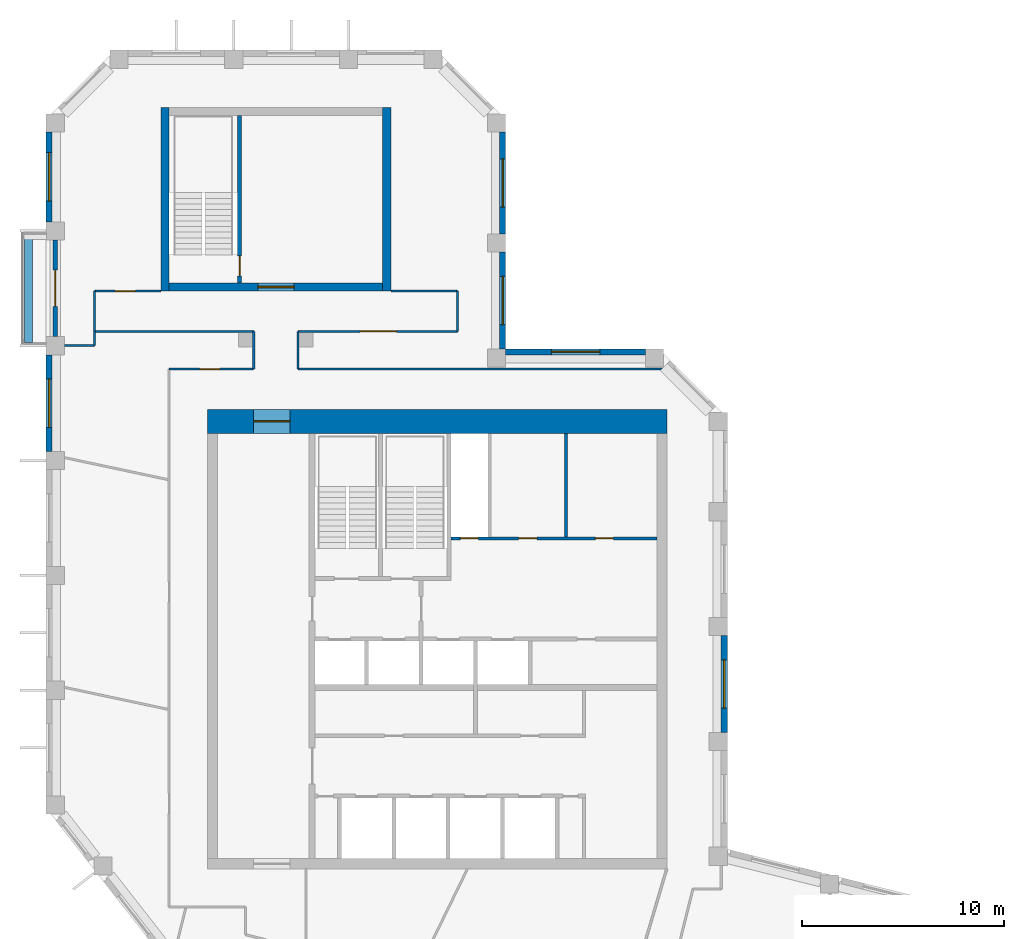
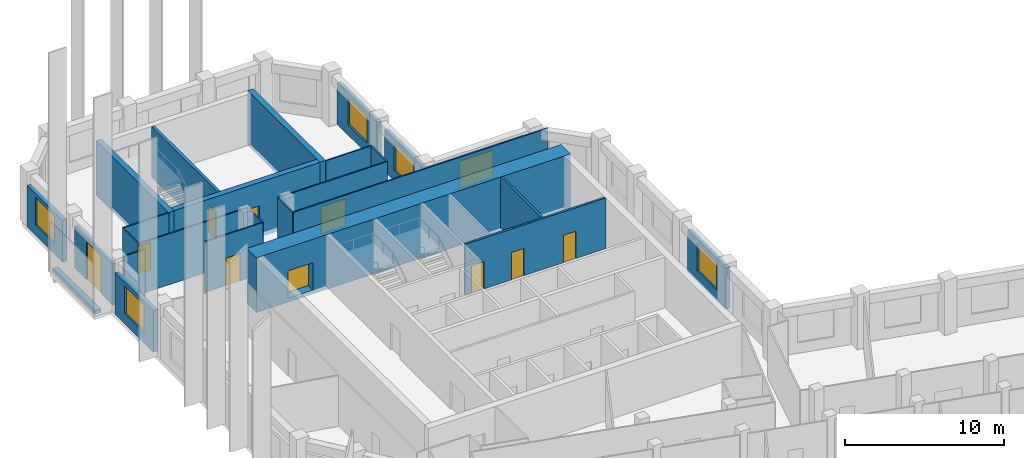
# One storey, part 6 of 8: 27 walls, 10 doors, 6 windows, 16 openings.
"""IFC4 building model written with IfcOpenShell, lengths in metres."""

from ifc_helpers import new_model, si_unit, direction, frame, frame_2d, origin, place, context, subcontext, project, spatial, rectangle, extrude, material, layer, layer_set, type_object, element, fill, save


model = new_model("IFC4")

# Units and contexts
model_context = context("Model", 3, precision=1e-05, world=origin(), true_north=direction((0.0, 1.0)))
body_context = subcontext(model_context, "Body", "Model", "MODEL_VIEW")
ifc_project = project(units=[si_unit("LENGTHUNIT", "METRE"), si_unit("AREAUNIT", "SQUARE_METRE"), si_unit("VOLUMEUNIT", "CUBIC_METRE"), si_unit("PLANEANGLEUNIT", "RADIAN"), si_unit("MASSUNIT", "GRAM", prefix="KILO")], contexts=[model_context])

# Site, building, storey
site_placement = place(None, origin())
site = spatial("IfcSite", under=ifc_project, at=site_placement, CompositionType="ELEMENT")
building_placement = place(site_placement, origin())
building = spatial("IfcBuilding", under=site, at=building_placement, Name="Meshkara Civic Tower", CompositionType="ELEMENT")
storey_placement = place(building_placement, frame((0.0, 0.0, 370.800048828125)))
storey = spatial("IfcBuildingStorey", under=building, at=storey_placement, Name="L85", CompositionType="ELEMENT", Elevation=370.800048828125)

# Wall, openings, doors
ifc_material_1 = material(Name="Blockwork", Category="masonry")
ifc_layer_1 = layer(ifc_material_1, 0.14990234375)
ifc_layer_set_1 = layer_set([ifc_layer_1], Name="Core partition 150")
wall_type_1 = type_object("IfcWallType", Name="Core partition 150", PredefinedType="PARTITIONING", material=ifc_layer_set_1)
wall_1_placement = place(storey_placement, frame((20.10009765625, 30.5, 0.0), z_axis=(0.0, 0.0, 1.0), x_axis=(1.0, 0.0, 0.0)))
wall_1 = element("IfcWall", 1, at=wall_1_placement, inside=storey, type_object=wall_type_1, Name="L85-C010", PredefinedType="PARTITIONING", context=body_context, shape_type="SweptSolid", body=[
    extrude(rectangle(XDim=10.199951171875, YDim=0.14990234375, at=frame_2d((5.10009765625, 0.0))), origin(), (0.0, 0.0, 1.0), 3.89990234375),
])
opening_1_placement = place(wall_1_placement, frame((0.449951171875, 0.0, 0.0)))
opening_1 = element("IfcOpeningElement", 2, at=opening_1_placement, cuts=wall_1, Name="Opening L85-K014", PredefinedType="OPENING", context=body_context, shape_type="SweptSolid", body=[
    extrude(rectangle(XDim=0.89990234375, YDim=2.10009765625, at=frame_2d((0.449951171875, 1.050048828125))), frame((0.0, 0.0849609375, 0.0), z_axis=(0.0, -1.0, 0.0), x_axis=(1.0, 0.0, 0.0)), (0.0, 0.0, 1.0), 0.169921875),
])
opening_2_placement = place(wall_1_placement, frame((3.35009765625, 0.0, 0.0)))
opening_2 = element("IfcOpeningElement", 3, at=opening_2_placement, cuts=wall_1, Name="Opening L85-K015", PredefinedType="OPENING", context=body_context, shape_type="SweptSolid", body=[
    extrude(rectangle(XDim=0.89990234375, YDim=2.10009765625, at=frame_2d((0.449951171875, 1.050048828125))), frame((0.0, 0.0849609375, 0.0), z_axis=(0.0, -1.0, 0.0), x_axis=(1.0, 0.0, 0.0)), (0.0, 0.0, 1.0), 0.169921875),
])
opening_3_placement = place(wall_1_placement, frame((7.14990234375, 0.0, 0.0)))
opening_3 = element("IfcOpeningElement", 4, at=opening_3_placement, cuts=wall_1, Name="Opening L85-K016", PredefinedType="OPENING", context=body_context, shape_type="SweptSolid", body=[
    extrude(rectangle(XDim=0.89990234375, YDim=2.10009765625, at=frame_2d((0.449951171875, 1.050048828125))), frame((0.0, 0.0849609375, 0.0), z_axis=(0.0, -1.0, 0.0), x_axis=(1.0, 0.0, 0.0)), (0.0, 0.0, 1.0), 0.169921875),
])
ifc_material_2 = material(Name="Timber door leaf in steel frame", Category="steel")
door_type_1 = type_object("IfcDoorType", Name="Core room door 900", OperationType="SINGLE_SWING_LEFT", PredefinedType="DOOR", material=ifc_material_2)
door_1_placement = place(opening_2_placement, origin())
door_1 = element("IfcDoor", 5, at=door_1_placement, inside=storey, type_object=door_type_1, Name="L85-K015", OperationType="SINGLE_SWING_RIGHT", OverallHeight=2.10009765625, OverallWidth=0.89990234375, PredefinedType="DOOR", context=body_context, shape_type="SweptSolid", body=[
    extrude(rectangle(XDim=0.89990234375, YDim=2.10009765625, at=frame_2d((0.449951171875, 1.050048828125))), frame((0.0, 0.02490234375, 0.0), z_axis=(0.0, -1.0, 0.0), x_axis=(1.0, 0.0, 0.0)), (0.0, 0.0, 1.0), 0.050048828125),
])
fill(opening_2, door_1)
ifc_material_3 = material(Name="Fire-rated door leaf in steel frame", Category="steel")
door_type_2 = type_object("IfcDoorType", Name="Riser door 900", OperationType="SINGLE_SWING_LEFT", PredefinedType="DOOR", material=ifc_material_3)
door_2_placement = place(opening_1_placement, origin())
door_2 = element("IfcDoor", 6, at=door_2_placement, inside=storey, type_object=door_type_2, Name="L85-K014", OperationType="SINGLE_SWING_RIGHT", OverallHeight=2.10009765625, OverallWidth=0.89990234375, PredefinedType="DOOR", context=body_context, shape_type="SweptSolid", body=[
    extrude(rectangle(XDim=0.89990234375, YDim=2.10009765625, at=frame_2d((0.449951171875, 1.050048828125))), frame((0.0, 0.02490234375, 0.0), z_axis=(0.0, -1.0, 0.0), x_axis=(1.0, 0.0, 0.0)), (0.0, 0.0, 1.0), 0.050048828125),
])
fill(opening_1, door_2)
ifc_material_4 = material(Name="Timber door leaf in steel frame", Category="steel")
door_type_3 = type_object("IfcDoorType", Name="WC door 900", OperationType="SINGLE_SWING_LEFT", PredefinedType="DOOR", material=ifc_material_4)
door_3_placement = place(opening_3_placement, origin())
door_3 = element("IfcDoor", 7, at=door_3_placement, inside=storey, type_object=door_type_3, Name="L85-K016", OperationType="SINGLE_SWING_LEFT", OverallHeight=2.10009765625, OverallWidth=0.89990234375, PredefinedType="DOOR", context=body_context, shape_type="SweptSolid", body=[
    extrude(rectangle(XDim=0.89990234375, YDim=2.10009765625, at=frame_2d((0.449951171875, 1.050048828125))), frame((0.0, 0.02490234375, 0.0), z_axis=(0.0, -1.0, 0.0), x_axis=(1.0, 0.0, 0.0)), (0.0, 0.0, 1.0), 0.050048828125),
])
fill(opening_3, door_3)

# Wall
wall_2_placement = place(storey_placement, frame((25.800048828125, 30.574951171875, 0.0), z_axis=(0.0, 0.0, 1.0), x_axis=(0.0, 1.0, 0.0)))
element("IfcWall", 8, at=wall_2_placement, inside=storey, type_object=wall_type_1, Name="L85-C024", PredefinedType="PARTITIONING", context=body_context, shape_type="SweptSolid", body=[
    extrude(rectangle(XDim=5.125, YDim=0.14990234375, at=frame_2d((2.5625, 0.0))), origin(), (0.0, 0.0, 1.0), 3.89990234375),
])

# Wall, opening, door
ifc_material_5 = material(Name="Concrete C50", Category="concrete")
ifc_layer_2 = layer(ifc_material_5, 1.199951171875)
ifc_layer_set_2 = layer_set([ifc_layer_2], Name="Core ring wall 1200 C50")
wall_type_2 = type_object("IfcWallType", Name="Core ring wall 1200 C50", PredefinedType="SHEAR", material=ifc_layer_set_2)
wall_3_placement = place(storey_placement, frame((8.0, 36.300048828125, -0.300048828125), z_axis=(0.0, 0.0, 1.0), x_axis=(1.0, 0.0, 0.0)))
wall_3 = element("IfcWall", 9, at=wall_3_placement, inside=storey, type_object=wall_type_2, Name="L85-C002", PredefinedType="SHEAR", context=body_context, shape_type="SweptSolid", body=[
    extrude(rectangle(XDim=22.800048828125, YDim=1.199951171875, at=frame_2d((11.39990234375, 0.0))), origin(), (0.0, 0.0, 1.0), 4.199951171875),
])
opening_4_placement = place(wall_3_placement, frame((2.300048828125, 0.0, 0.300048828125)))
opening_4 = element("IfcOpeningElement", 10, at=opening_4_placement, cuts=wall_3, Name="Opening L85-K022", PredefinedType="OPENING", context=body_context, shape_type="SweptSolid", body=[
    extrude(rectangle(XDim=1.800048828125, YDim=2.10009765625, at=frame_2d((0.89990234375, 1.050048828125))), frame((0.0, 0.60986328125, 0.0), z_axis=(0.0, -1.0, 0.0), x_axis=(1.0, 0.0, 0.0)), (0.0, 0.0, 1.0), 1.219970703125),
])
ifc_material_6 = material(Name="Fire-rated door leaf in steel frame", Category="steel")
door_type_4 = type_object("IfcDoorType", Name="Core double door 1800 EI 60", OperationType="DOUBLE_DOOR_SINGLE_SWING", PredefinedType="DOOR", material=ifc_material_6)
door_4_placement = place(opening_4_placement, origin())
door_4 = element("IfcDoor", 11, at=door_4_placement, inside=storey, type_object=door_type_4, Name="L85-K022", OperationType="DOUBLE_DOOR_SINGLE_SWING", OverallHeight=2.10009765625, OverallWidth=1.800048828125, PredefinedType="DOOR", context=body_context, shape_type="SweptSolid", body=[
    extrude(rectangle(XDim=1.800048828125, YDim=2.10009765625, at=frame_2d((0.89990234375, 1.050048828125))), frame((0.0, 0.02490234375, 0.0), z_axis=(0.0, -1.0, 0.0), x_axis=(1.0, 0.0, 0.0)), (0.0, 0.0, 1.0), 0.050048828125),
])
fill(opening_4, door_4)

# Walls
ifc_material_7 = material(Name="Corridor wall 100")
ifc_layer_3 = layer(ifc_material_7, 0.10009765625)
ifc_layer_set_3 = layer_set([ifc_layer_3], Name="Corridor wall 100")
wall_type_3 = type_object("IfcWallType", Name="Corridor wall 100", PredefinedType="PARTITIONING", material=ifc_layer_set_3)
wall_4_placement = place(storey_placement, frame((2.39990234375, 40.77001953125, 0.0), z_axis=(0.0, 0.0, 1.0), x_axis=(1.0, 0.0, 0.0)))
element("IfcWall", 12, at=wall_4_placement, inside=storey, type_object=wall_type_3, Name="L85-W001", PredefinedType="PARTITIONING", context=body_context, shape_type="SweptSolid", body=[
    extrude(rectangle(XDim=7.900146484375, YDim=0.10009765625, at=frame_2d((3.9501953125, 0.0))), origin(), (0.0, 0.0, 1.0), 3.89990234375),
])
wall_5_placement = place(storey_placement, frame((2.39990234375, 42.77001953125, 0.0), z_axis=(0.0, 0.0, 1.0), x_axis=(0.0, -1.0, 0.0)))
element("IfcWall", 13, at=wall_5_placement, inside=storey, type_object=wall_type_3, Name="L85-W002", PredefinedType="PARTITIONING", context=body_context, shape_type="SweptSolid", body=[
    extrude(rectangle(XDim=2.0, YDim=0.10009765625, at=frame_2d((1.0, 0.0))), origin(), (0.0, 0.0, 1.0), 3.89990234375),
])

# Wall, opening, door
wall_6_placement = place(storey_placement, frame((5.699951171875, 42.77001953125, 0.0), z_axis=(0.0, 0.0, 1.0), x_axis=(-1.0, 0.0, 0.0)))
wall_6 = element("IfcWall", 14, at=wall_6_placement, inside=storey, type_object=wall_type_3, Name="L85-W003", PredefinedType="PARTITIONING", context=body_context, shape_type="SweptSolid", body=[
    extrude(rectangle(XDim=3.300048828125, YDim=0.10009765625, at=frame_2d((1.64990234375, 0.0))), origin(), (0.0, 0.0, 1.0), 3.89990234375),
])
opening_5_placement = place(wall_6_placement, frame((1.280029296875, 0.0, 0.0)))
opening_5 = element("IfcOpeningElement", 15, at=opening_5_placement, cuts=wall_6, Name="Opening L85-D016", PredefinedType="OPENING", context=body_context, shape_type="SweptSolid", body=[
    extrude(rectangle(XDim=1.0, YDim=2.10009765625, at=frame_2d((0.5, 1.050048828125))), frame((0.0, 0.06005859375, 0.0), z_axis=(0.0, -1.0, 0.0), x_axis=(1.0, 0.0, 0.0)), (0.0, 0.0, 1.0), 0.1201171875),
])
ifc_material_8 = material(Name="Door 1000 x 2100")
door_type_5 = type_object("IfcDoorType", Name="Door 1000 x 2100", OperationType="SINGLE_SWING_LEFT", PredefinedType="DOOR", material=ifc_material_8)
door_5_placement = place(opening_5_placement, origin())
door_5 = element("IfcDoor", 16, at=door_5_placement, inside=storey, type_object=door_type_5, Name="L85-D016", OperationType="SINGLE_SWING_LEFT", OverallHeight=2.10009765625, OverallWidth=1.0, PredefinedType="DOOR", context=body_context, shape_type="SweptSolid", body=[
    extrude(rectangle(XDim=1.0, YDim=2.10009765625, at=frame_2d((0.5, 1.050048828125))), frame((0.0, 0.02490234375, 0.0), z_axis=(0.0, -1.0, 0.0), x_axis=(1.0, 0.0, 0.0)), (0.0, 0.0, 1.0), 0.050048828125),
])
fill(opening_5, door_5)

wall_7_placement = place(storey_placement, frame((10.300048828125, 38.89990234375, 0.0), z_axis=(0.0, 0.0, 1.0), x_axis=(-1.0, 0.0, 0.0)))
wall_7 = element("IfcWall", 17, at=wall_7_placement, inside=storey, type_object=wall_type_3, Name="L85-W011", PredefinedType="PARTITIONING", context=body_context, shape_type="SweptSolid", body=[
    extrude(rectangle(XDim=4.199951171875, YDim=0.10009765625, at=frame_2d((2.10009765625, 0.0))), origin(), (0.0, 0.0, 1.0), 3.89990234375),
])
opening_6_placement = place(wall_7_placement, frame((1.679931640625, 0.0, 0.0)))
opening_6 = element("IfcOpeningElement", 18, at=opening_6_placement, cuts=wall_7, Name="Opening L85-D014", PredefinedType="OPENING", context=body_context, shape_type="SweptSolid", body=[
    extrude(rectangle(XDim=1.0, YDim=2.10009765625, at=frame_2d((0.5, 1.050048828125))), frame((0.0, 0.06005859375, 0.0), z_axis=(0.0, -1.0, 0.0), x_axis=(1.0, 0.0, 0.0)), (0.0, 0.0, 1.0), 0.1201171875),
])
door_6_placement = place(opening_6_placement, origin())
door_6 = element("IfcDoor", 19, at=door_6_placement, inside=storey, type_object=door_type_5, Name="L85-D014", OperationType="SINGLE_SWING_LEFT", OverallHeight=2.10009765625, OverallWidth=1.0, PredefinedType="DOOR", context=body_context, shape_type="SweptSolid", body=[
    extrude(rectangle(XDim=1.0, YDim=2.10009765625, at=frame_2d((0.5, 1.050048828125))), frame((0.0, 0.02490234375, 0.0), z_axis=(0.0, -1.0, 0.0), x_axis=(1.0, 0.0, 0.0)), (0.0, 0.0, 1.0), 0.050048828125),
])
fill(opening_6, door_6)

# Walls
for number, where, z_axis, x_axis, name in (
    (20, (10.300048828125, 40.77001953125, 0.0), (0.0, 0.0, 1.0), (0.0, -1.0, 0.0), "L85-W012"),
    (21, (12.5, 38.89990234375, 0.0), (0.0, 0.0, 1.0), (0.0, 1.0, 0.0), "L85-W013"),
):
    element("IfcWall", number, at=place(storey_placement, frame(where, z_axis=z_axis, x_axis=x_axis)), inside=storey, type_object=wall_type_3, Name=name, PredefinedType="PARTITIONING", context=body_context, shape_type="SweptSolid", body=[
        extrude(rectangle(XDim=1.8701171875, YDim=0.10009765625, at=frame_2d((0.93505859375, 0.0))), origin(), (0.0, 0.0, 1.0), 3.89990234375),
    ])

# Wall, opening, door
wall_8_placement = place(storey_placement, frame((12.5, 40.77001953125, 0.0), z_axis=(0.0, 0.0, 1.0), x_axis=(1.0, 0.0, 0.0)))
wall_8 = element("IfcWall", 22, at=wall_8_placement, inside=storey, type_object=wall_type_3, Name="L85-W014", PredefinedType="PARTITIONING", context=body_context, shape_type="SweptSolid", body=[
    extrude(rectangle(XDim=7.89990234375, YDim=0.10009765625, at=frame_2d((3.949951171875, 0.0))), origin(), (0.0, 0.0, 1.0), 3.89990234375),
])
opening_7_placement = place(wall_8_placement, frame((3.080078125, 0.0, 0.0)))
opening_7 = element("IfcOpeningElement", 23, at=opening_7_placement, cuts=wall_8, Name="Opening L85-D015", PredefinedType="OPENING", context=body_context, shape_type="SweptSolid", body=[
    extrude(rectangle(XDim=1.800048828125, YDim=2.10009765625, at=frame_2d((0.89990234375, 1.050048828125))), frame((0.0, 0.06005859375, 0.0), z_axis=(0.0, -1.0, 0.0), x_axis=(1.0, 0.0, 0.0)), (0.0, 0.0, 1.0), 0.1201171875),
])
ifc_material_9 = material(Name="Door pair 1800 x 2100")
door_type_6 = type_object("IfcDoorType", Name="Door pair 1800 x 2100", OperationType="SINGLE_SWING_LEFT", PredefinedType="DOOR", material=ifc_material_9)
door_7_placement = place(opening_7_placement, origin())
door_7 = element("IfcDoor", 24, at=door_7_placement, inside=storey, type_object=door_type_6, Name="L85-D015", OperationType="DOUBLE_DOOR_SINGLE_SWING", OverallHeight=2.10009765625, OverallWidth=1.800048828125, PredefinedType="DOOR", context=body_context, shape_type="SweptSolid", body=[
    extrude(rectangle(XDim=1.800048828125, YDim=2.10009765625, at=frame_2d((0.89990234375, 1.050048828125))), frame((0.0, 0.02490234375, 0.0), z_axis=(0.0, -1.0, 0.0), x_axis=(1.0, 0.0, 0.0)), (0.0, 0.0, 1.0), 0.050048828125),
])
fill(opening_7, door_7)

# Walls
wall_9_placement = place(storey_placement, frame((20.39990234375, 40.77001953125, 0.0), z_axis=(0.0, 0.0, 1.0), x_axis=(0.0, 1.0, 0.0)))
element("IfcWall", 25, at=wall_9_placement, inside=storey, type_object=wall_type_3, Name="L85-W017", PredefinedType="PARTITIONING", context=body_context, shape_type="SweptSolid", body=[
    extrude(rectangle(XDim=2.0, YDim=0.10009765625, at=frame_2d((1.0, 0.0))), origin(), (0.0, 0.0, 1.0), 3.89990234375),
])
wall_10_placement = place(storey_placement, frame((20.39990234375, 42.77001953125, 0.0), z_axis=(0.0, 0.0, 1.0), x_axis=(-1.0, 0.0, 0.0)))
element("IfcWall", 26, at=wall_10_placement, inside=storey, type_object=wall_type_3, Name="L85-W018", PredefinedType="PARTITIONING", context=body_context, shape_type="SweptSolid", body=[
    extrude(rectangle(XDim=3.2998046875, YDim=0.10009765625, at=frame_2d((1.64990234375, 0.0))), origin(), (0.0, 0.0, 1.0), 3.89990234375),
])
wall_11_placement = place(storey_placement, frame((30.9560546875, 38.89990234375, 0.0), z_axis=(0.0, 0.0, 1.0), x_axis=(-1.0, 0.0, 0.0)))
element("IfcWall", 27, at=wall_11_placement, inside=storey, type_object=wall_type_3, Name="L85-W023", PredefinedType="PARTITIONING", context=body_context, shape_type="SweptSolid", body=[
    extrude(rectangle(XDim=18.4560546875, YDim=0.10009765625, at=frame_2d((9.22802734375, 0.0))), origin(), (0.0, 0.0, 1.0), 3.89990234375),
])

# Wall, opening, window
ifc_material_10 = material(Name="Insulated infill panel with bronze anodised aluminium cladding", Category="aluminium")
ifc_layer_4 = layer(ifc_material_10, 0.300048828125)
ifc_layer_set_4 = layer_set([ifc_layer_4], Name="EXTERNAL INFILL WALL 300")
wall_type_4 = type_object("IfcWallType", Name="EXTERNAL INFILL WALL 300", PredefinedType="SOLIDWALL", material=ifc_layer_set_4)
wall_12_placement = place(storey_placement, frame((33.64990234375, 20.868896484375, 0.0), z_axis=(0.0, 0.0, 1.0), x_axis=(0.0, 1.0, 0.0)))
wall_12 = element("IfcWall", 28, at=wall_12_placement, inside=storey, type_object=wall_type_4, Name="External wall", PredefinedType="SOLIDWALL", context=body_context, shape_type="SweptSolid", body=[
    extrude(rectangle(XDim=4.800048828125, YDim=0.300048828125, at=frame_2d((2.39990234375, 0.0))), origin(), (0.0, 0.0, 1.0), 3.199951171875),
])
opening_8_placement = place(wall_12_placement, frame((1.199951171875, 0.0, 0.800048828125)))
opening_8 = element("IfcOpeningElement", 29, at=opening_8_placement, cuts=wall_12, Name="Opening W7", PredefinedType="OPENING", context=body_context, shape_type="SweptSolid", body=[
    extrude(rectangle(XDim=2.39990234375, YDim=2.10009765625, at=frame_2d((1.199951171875, 1.050048828125))), frame((0.0, 0.159912109375, 0.0), z_axis=(0.0, -1.0, 0.0), x_axis=(1.0, 0.0, 0.0)), (0.0, 0.0, 1.0), 0.320068359375),
])
ifc_material_11 = material(Name="Tinted double glazing", Category="glass")
window_type = type_object("IfcWindowType", Name="WINDOW 2400x2100", PartitioningType="DOUBLE_PANEL_VERTICAL", PredefinedType="WINDOW", material=ifc_material_11)
window_1_placement = place(opening_8_placement, origin())
window_1 = element("IfcWindow", 30, at=window_1_placement, inside=storey, type_object=window_type, Name="Window", OverallHeight=2.10009765625, OverallWidth=2.39990234375, PartitioningType="DOUBLE_PANEL_VERTICAL", PredefinedType="WINDOW", context=body_context, shape_type="SweptSolid", body=[
    extrude(rectangle(XDim=2.39990234375, YDim=2.10009765625, at=frame_2d((1.199951171875, 1.050048828125))), frame((0.0, 0.030029296875, 0.0), z_axis=(0.0, -1.0, 0.0), x_axis=(1.0, 0.0, 0.0)), (0.0, 0.0, 1.0), 0.06005859375),
])
fill(opening_8, window_1)

wall_13_placement = place(storey_placement, frame((29.743896484375, 39.75, 0.0), z_axis=(0.0, 0.0, 1.0), x_axis=(-1.0, 0.0, 0.0)))
wall_13 = element("IfcWall", 31, at=wall_13_placement, inside=storey, type_object=wall_type_4, Name="External wall", PredefinedType="SOLIDWALL", context=body_context, shape_type="SweptSolid", body=[
    extrude(rectangle(XDim=6.94384765625, YDim=0.300048828125, at=frame_2d((3.471923828125, 0.0))), origin(), (0.0, 0.0, 1.0), 3.199951171875),
])
opening_9_placement = place(wall_13_placement, frame((2.27197265625, 0.0, 0.800048828125)))
opening_9 = element("IfcOpeningElement", 32, at=opening_9_placement, cuts=wall_13, Name="Opening W7", PredefinedType="OPENING", context=body_context, shape_type="SweptSolid", body=[
    extrude(rectangle(XDim=2.39990234375, YDim=2.10009765625, at=frame_2d((1.199951171875, 1.050048828125))), frame((0.0, 0.159912109375, 0.0), z_axis=(0.0, -1.0, 0.0), x_axis=(1.0, 0.0, 0.0)), (0.0, 0.0, 1.0), 0.320068359375),
])
window_2_placement = place(opening_9_placement, origin())
window_2 = element("IfcWindow", 33, at=window_2_placement, inside=storey, type_object=window_type, Name="Window", OverallHeight=2.10009765625, OverallWidth=2.39990234375, PartitioningType="DOUBLE_PANEL_VERTICAL", PredefinedType="WINDOW", context=body_context, shape_type="SweptSolid", body=[
    extrude(rectangle(XDim=2.39990234375, YDim=2.10009765625, at=frame_2d((1.199951171875, 1.050048828125))), frame((0.0, 0.030029296875, 0.0), z_axis=(0.0, -1.0, 0.0), x_axis=(1.0, 0.0, 0.0)), (0.0, 0.0, 1.0), 0.06005859375),
])
fill(opening_9, window_2)

wall_14_placement = place(storey_placement, frame((22.64990234375, 39.89990234375, 0.0), z_axis=(0.0, 0.0, 1.0), x_axis=(0.0, 1.0, 0.0)))
wall_14 = element("IfcWall", 34, at=wall_14_placement, inside=storey, type_object=wall_type_4, Name="External wall", PredefinedType="SOLIDWALL", context=body_context, shape_type="SweptSolid", body=[
    extrude(rectangle(XDim=4.800048828125, YDim=0.300048828125, at=frame_2d((2.39990234375, 0.0))), origin(), (0.0, 0.0, 1.0), 3.199951171875),
])
opening_10_placement = place(wall_14_placement, frame((1.199951171875, 0.0, 0.800048828125)))
opening_10 = element("IfcOpeningElement", 35, at=opening_10_placement, cuts=wall_14, Name="Opening W7", PredefinedType="OPENING", context=body_context, shape_type="SweptSolid", body=[
    extrude(rectangle(XDim=2.39990234375, YDim=2.10009765625, at=frame_2d((1.199951171875, 1.050048828125))), frame((0.0, 0.159912109375, 0.0), z_axis=(0.0, -1.0, 0.0), x_axis=(1.0, 0.0, 0.0)), (0.0, 0.0, 1.0), 0.320068359375),
])
window_3_placement = place(opening_10_placement, origin())
window_3 = element("IfcWindow", 36, at=window_3_placement, inside=storey, type_object=window_type, Name="Window", OverallHeight=2.10009765625, OverallWidth=2.39990234375, PartitioningType="DOUBLE_PANEL_VERTICAL", PredefinedType="WINDOW", context=body_context, shape_type="SweptSolid", body=[
    extrude(rectangle(XDim=2.39990234375, YDim=2.10009765625, at=frame_2d((1.199951171875, 1.050048828125))), frame((0.0, 0.030029296875, 0.0), z_axis=(0.0, -1.0, 0.0), x_axis=(1.0, 0.0, 0.0)), (0.0, 0.0, 1.0), 0.06005859375),
])
fill(opening_10, window_3)

wall_15_placement = place(storey_placement, frame((22.64990234375, 45.60009765625, 0.0), z_axis=(0.0, 0.0, 1.0), x_axis=(0.0, 1.0, 0.0)))
wall_15 = element("IfcWall", 37, at=wall_15_placement, inside=storey, type_object=wall_type_4, Name="External wall", PredefinedType="SOLIDWALL", context=body_context, shape_type="SweptSolid", body=[
    extrude(rectangle(XDim=5.06396484375, YDim=0.300048828125, at=frame_2d((2.531982421875, 0.0))), origin(), (0.0, 0.0, 1.0), 3.199951171875),
])
opening_11_placement = place(wall_15_placement, frame((1.33203125, 0.0, 0.800048828125)))
opening_11 = element("IfcOpeningElement", 38, at=opening_11_placement, cuts=wall_15, Name="Opening W7", PredefinedType="OPENING", context=body_context, shape_type="SweptSolid", body=[
    extrude(rectangle(XDim=2.39990234375, YDim=2.10009765625, at=frame_2d((1.199951171875, 1.050048828125))), frame((0.0, 0.159912109375, 0.0), z_axis=(0.0, -1.0, 0.0), x_axis=(1.0, 0.0, 0.0)), (0.0, 0.0, 1.0), 0.320068359375),
])
window_4_placement = place(opening_11_placement, origin())
window_4 = element("IfcWindow", 39, at=window_4_placement, inside=storey, type_object=window_type, Name="Window", OverallHeight=2.10009765625, OverallWidth=2.39990234375, PartitioningType="DOUBLE_PANEL_VERTICAL", PredefinedType="WINDOW", context=body_context, shape_type="SweptSolid", body=[
    extrude(rectangle(XDim=2.39990234375, YDim=2.10009765625, at=frame_2d((1.199951171875, 1.050048828125))), frame((0.0, 0.030029296875, 0.0), z_axis=(0.0, -1.0, 0.0), x_axis=(1.0, 0.0, 0.0)), (0.0, 0.0, 1.0), 0.06005859375),
])
fill(opening_11, window_4)

wall_16_placement = place(storey_placement, frame((0.14990234375, 50.6640625, 0.0), z_axis=(0.0, 0.0, 1.0), x_axis=(0.0, -1.0, 0.0)))
wall_16 = element("IfcWall", 40, at=wall_16_placement, inside=storey, type_object=wall_type_4, Name="External wall", PredefinedType="SOLIDWALL", context=body_context, shape_type="SweptSolid", body=[
    extrude(rectangle(XDim=4.458984375, YDim=0.300048828125, at=frame_2d((2.2294921875, 0.0))), origin(), (0.0, 0.0, 1.0), 3.199951171875),
])
opening_12_placement = place(wall_16_placement, frame((1.029052734375, 0.0, 0.800048828125)))
opening_12 = element("IfcOpeningElement", 41, at=opening_12_placement, cuts=wall_16, Name="Opening W7", PredefinedType="OPENING", context=body_context, shape_type="SweptSolid", body=[
    extrude(rectangle(XDim=2.39990234375, YDim=2.10009765625, at=frame_2d((1.199951171875, 1.050048828125))), frame((0.0, 0.159912109375, 0.0), z_axis=(0.0, -1.0, 0.0), x_axis=(1.0, 0.0, 0.0)), (0.0, 0.0, 1.0), 0.320068359375),
])
window_5_placement = place(opening_12_placement, origin())
window_5 = element("IfcWindow", 42, at=window_5_placement, inside=storey, type_object=window_type, Name="Window", OverallHeight=2.10009765625, OverallWidth=2.39990234375, PartitioningType="DOUBLE_PANEL_VERTICAL", PredefinedType="WINDOW", context=body_context, shape_type="SweptSolid", body=[
    extrude(rectangle(XDim=2.39990234375, YDim=2.10009765625, at=frame_2d((1.199951171875, 1.050048828125))), frame((0.0, 0.030029296875, 0.0), z_axis=(0.0, -1.0, 0.0), x_axis=(1.0, 0.0, 0.0)), (0.0, 0.0, 1.0), 0.06005859375),
])
fill(opening_12, window_5)

wall_17_placement = place(storey_placement, frame((0.14990234375, 39.60498046875, 0.0), z_axis=(0.0, 0.0, 1.0), x_axis=(0.0, -1.0, 0.0)))
wall_17 = element("IfcWall", 43, at=wall_17_placement, inside=storey, type_object=wall_type_4, Name="External wall", PredefinedType="SOLIDWALL", context=body_context, shape_type="SweptSolid", body=[
    extrude(rectangle(XDim=4.800048828125, YDim=0.300048828125, at=frame_2d((2.39990234375, 0.0))), origin(), (0.0, 0.0, 1.0), 3.199951171875),
])
opening_13_placement = place(wall_17_placement, frame((1.199951171875, 0.0, 0.800048828125)))
opening_13 = element("IfcOpeningElement", 44, at=opening_13_placement, cuts=wall_17, Name="Opening W7", PredefinedType="OPENING", context=body_context, shape_type="SweptSolid", body=[
    extrude(rectangle(XDim=2.39990234375, YDim=2.10009765625, at=frame_2d((1.199951171875, 1.050048828125))), frame((0.0, 0.159912109375, 0.0), z_axis=(0.0, -1.0, 0.0), x_axis=(1.0, 0.0, 0.0)), (0.0, 0.0, 1.0), 0.320068359375),
])
window_6_placement = place(opening_13_placement, origin())
window_6 = element("IfcWindow", 45, at=window_6_placement, inside=storey, type_object=window_type, Name="Window", OverallHeight=2.10009765625, OverallWidth=2.39990234375, PartitioningType="DOUBLE_PANEL_VERTICAL", PredefinedType="WINDOW", context=body_context, shape_type="SweptSolid", body=[
    extrude(rectangle(XDim=2.39990234375, YDim=2.10009765625, at=frame_2d((1.199951171875, 1.050048828125))), frame((0.0, 0.030029296875, 0.0), z_axis=(0.0, -1.0, 0.0), x_axis=(1.0, 0.0, 0.0)), (0.0, 0.0, 1.0), 0.06005859375),
])
fill(opening_13, window_6)

# Walls
ifc_material_12 = material(Name="Concrete C50", Category="concrete")
ifc_layer_5 = layer(ifc_material_12, 0.39990234375)
ifc_layer_set_5 = layer_set([ifc_layer_5], Name="End core ring wall 400 C50")
wall_type_5 = type_object("IfcWallType", Name="End core ring wall 400 C50", PredefinedType="SHEAR", material=ifc_layer_set_5)
for number, where, z_axis, x_axis, name in (
    (46, (5.89990234375, 42.77001953125, -0.300048828125), (0.0, 0.0, 1.0), (0.0, 1.0, 0.0), "L85-C027"),
    (47, (16.89990234375, 42.77001953125, -0.300048828125), (0.0, 0.0, 1.0), (0.0, 1.0, 0.0), "L85-C028"),
):
    element("IfcWall", number, at=place(storey_placement, frame(where, z_axis=z_axis, x_axis=x_axis)), inside=storey, type_object=wall_type_5, Name=name, PredefinedType="SHEAR", context=body_context, shape_type="SweptSolid", body=[
        extrude(rectangle(XDim=9.10009765625, YDim=0.39990234375, at=frame_2d((4.550048828125, 0.0))), origin(), (0.0, 0.0, 1.0), 4.199951171875),
    ])

# Wall, opening, door
wall_18_placement = place(storey_placement, frame((6.10009765625, 42.969970703125, -0.300048828125), z_axis=(0.0, 0.0, 1.0), x_axis=(1.0, 0.0, 0.0)))
wall_18 = element("IfcWall", 48, at=wall_18_placement, inside=storey, type_object=wall_type_5, Name="L85-C029", PredefinedType="SHEAR", context=body_context, shape_type="SweptSolid", body=[
    extrude(rectangle(XDim=10.599853515625, YDim=0.39990234375, at=frame_2d((5.2998046875, 0.0))), origin(), (0.0, 0.0, 1.0), 4.199951171875),
])
opening_14_placement = place(wall_18_placement, frame((4.39990234375, 0.0, 0.300048828125)))
opening_14 = element("IfcOpeningElement", 49, at=opening_14_placement, cuts=wall_18, Name="Opening L85-K102", PredefinedType="OPENING", context=body_context, shape_type="SweptSolid", body=[
    extrude(rectangle(XDim=1.800048828125, YDim=2.10009765625, at=frame_2d((0.89990234375, 1.050048828125))), frame((0.0, 0.2099609375, 0.0), z_axis=(0.0, -1.0, 0.0), x_axis=(1.0, 0.0, 0.0)), (0.0, 0.0, 1.0), 0.419921875),
])
door_8_placement = place(opening_14_placement, origin())
door_8 = element("IfcDoor", 50, at=door_8_placement, inside=storey, type_object=door_type_4, Name="L85-K102", OperationType="DOUBLE_DOOR_SINGLE_SWING", OverallHeight=2.10009765625, OverallWidth=1.800048828125, PredefinedType="DOOR", context=body_context, shape_type="SweptSolid", body=[
    extrude(rectangle(XDim=1.800048828125, YDim=2.10009765625, at=frame_2d((0.89990234375, 1.050048828125))), frame((0.0, 0.02490234375, 0.0), z_axis=(0.0, -1.0, 0.0), x_axis=(1.0, 0.0, 0.0)), (0.0, 0.0, 1.0), 0.050048828125),
])
fill(opening_14, door_8)

ifc_material_13 = material(Name="Insulated infill panel with bronze anodised aluminium cladding", Category="aluminium")
ifc_layer_6 = layer(ifc_material_13, 0.199951171875)
ifc_layer_set_6 = layer_set([ifc_layer_6], Name="LOGGIA BACK WALL 200")
wall_type_6 = type_object("IfcWallType", Name="LOGGIA BACK WALL 200", PredefinedType="SOLIDWALL", material=ifc_layer_set_6)
wall_19_placement = place(storey_placement, frame((0.449951171875, 45.304931640625, 0.0), z_axis=(0.0, 0.0, 1.0), x_axis=(0.0, -1.0, 0.0)))
wall_19 = element("IfcWall", 51, at=wall_19_placement, inside=storey, type_object=wall_type_6, Name="Loggia wall", PredefinedType="SOLIDWALL", context=body_context, shape_type="SweptSolid", body=[
    extrude(rectangle(XDim=4.800048828125, YDim=0.199951171875, at=frame_2d((2.39990234375, 0.0))), origin(), (0.0, 0.0, 1.0), 3.199951171875),
])
opening_15_placement = place(wall_19_placement, frame((1.5, 0.0, 0.0)))
opening_15 = element("IfcOpeningElement", 52, at=opening_15_placement, cuts=wall_19, Name="Opening L85-L001", PredefinedType="OPENING", context=body_context, shape_type="SweptSolid", body=[
    extrude(rectangle(XDim=1.800048828125, YDim=2.89990234375, at=frame_2d((0.89990234375, 1.449951171875))), frame((0.0, 0.10986328125, 0.0), z_axis=(0.0, -1.0, 0.0), x_axis=(1.0, 0.0, 0.0)), (0.0, 0.0, 1.0), 0.219970703125),
])
ifc_material_14 = material(Name="Tinted double glazing", Category="glass")
door_type_7 = type_object("IfcDoorType", Name="LOGGIA DOOR 1800x2900", OperationType="DOUBLE_DOOR_SINGLE_SWING", PredefinedType="DOOR", material=ifc_material_14)
door_9_placement = place(opening_15_placement, origin())
door_9 = element("IfcDoor", 53, at=door_9_placement, inside=storey, type_object=door_type_7, Name="L85-L001", OperationType="DOUBLE_DOOR_SINGLE_SWING", OverallHeight=2.89990234375, OverallWidth=1.800048828125, PredefinedType="DOOR", context=body_context, shape_type="SweptSolid", body=[
    extrude(rectangle(XDim=1.800048828125, YDim=2.89990234375, at=frame_2d((0.89990234375, 1.449951171875))), frame((0.0, 0.02490234375, 0.0), z_axis=(0.0, -1.0, 0.0), x_axis=(1.0, 0.0, 0.0)), (0.0, 0.0, 1.0), 0.050048828125),
])
fill(opening_15, door_9)

# Walls
ifc_material_15 = material(Name="Concrete C40", Category="concrete")
ifc_layer_7 = layer(ifc_material_15, 0.39990234375)
ifc_layer_set_7 = layer_set([ifc_layer_7], Name="PLANTER TRAY")
wall_type_7 = type_object("IfcWallType", Name="PLANTER TRAY", PredefinedType="SOLIDWALL", material=ifc_layer_set_7)
wall_20_placement = place(storey_placement, frame((-0.8798828125, 45.5849609375, 0.0), z_axis=(0.0, 0.0, 1.0), x_axis=(0.0, -1.0, 0.0)))
element("IfcWall", 54, at=wall_20_placement, inside=storey, type_object=wall_type_7, Name="Planter", PredefinedType="SOLIDWALL", context=body_context, shape_type="SweptSolid", body=[
    extrude(rectangle(XDim=5.35986328125, YDim=0.39990234375, at=frame_2d((2.679931640625, 0.0))), origin(), (0.0, 0.0, 1.0), 0.300048828125),
])
ifc_material_16 = material(Name="Partition 100")
ifc_layer_8 = layer(ifc_material_16, 0.10009765625)
ifc_layer_set_8 = layer_set([ifc_layer_8], Name="Partition 100")
wall_type_8 = type_object("IfcWallType", Name="Partition 100", PredefinedType="PARTITIONING", material=ifc_layer_set_8)
wall_21_placement = place(storey_placement, frame((2.39990234375, 40.054931640625, 0.0), z_axis=(0.0, 0.0, 1.0), x_axis=(-1.0, 0.0, 0.0)))
element("IfcWall", 55, at=wall_21_placement, inside=storey, type_object=wall_type_8, Name="L85-W038", PredefinedType="PARTITIONING", context=body_context, shape_type="SweptSolid", body=[
    extrude(rectangle(XDim=1.5, YDim=0.10009765625, at=frame_2d((0.75, 0.0))), origin(), (0.0, 0.0, 1.0), 3.89990234375),
])
wall_22_placement = place(storey_placement, frame((2.39990234375, 40.77392578125, 0.0), z_axis=(0.0, 0.0, 1.0), x_axis=(0.0, -1.0, 0.0)))
element("IfcWall", 56, at=wall_22_placement, inside=storey, type_object=wall_type_8, Name="L85-W039", PredefinedType="PARTITIONING", context=body_context, shape_type="SweptSolid", body=[
    extrude(rectangle(XDim=0.718994140625, YDim=0.10009765625, at=frame_2d((0.359375, 0.0))), origin(), (0.0, 0.0, 1.0), 3.89990234375),
])

# Wall, opening, door
ifc_material_17 = material(Name="Concrete C40/50", Category="concrete")
ifc_layer_9 = layer(ifc_material_17, 0.199951171875)
ifc_layer_set_9 = layer_set([ifc_layer_9], Name="Stair enclosure wall 200 C40/50")
wall_type_9 = type_object("IfcWallType", Name="Stair enclosure wall 200 C40/50", PredefinedType="SOLIDWALL", material=ifc_layer_set_9)
wall_23_placement = place(storey_placement, frame((9.60009765625, 43.169921875, 0.0), z_axis=(0.0, 0.0, 1.0), x_axis=(0.0, 1.0, 0.0)))
wall_23 = element("IfcWall", 57, at=wall_23_placement, inside=storey, type_object=wall_type_9, Name="L85-C031", PredefinedType="SOLIDWALL", context=body_context, shape_type="SweptSolid", body=[
    extrude(rectangle(XDim=8.300048828125, YDim=0.199951171875, at=frame_2d((4.14990234375, 0.0))), origin(), (0.0, 0.0, 1.0), 3.89990234375),
])
opening_16_placement = place(wall_23_placement, frame((0.35009765625, 0.0, 0.0)))
opening_16 = element("IfcOpeningElement", 58, at=opening_16_placement, cuts=wall_23, Name="Opening L85-K101", PredefinedType="OPENING", context=body_context, shape_type="SweptSolid", body=[
    extrude(rectangle(XDim=1.0, YDim=2.10009765625, at=frame_2d((0.5, 1.050048828125))), frame((0.0, 0.10986328125, 0.0), z_axis=(0.0, -1.0, 0.0), x_axis=(1.0, 0.0, 0.0)), (0.0, 0.0, 1.0), 0.219970703125),
])
ifc_material_18 = material(Name="Fire-rated door leaf in steel frame", Category="steel")
door_type_8 = type_object("IfcDoorType", Name="Stair door 1000 EI 120", OperationType="SINGLE_SWING_LEFT", PredefinedType="DOOR", material=ifc_material_18)
door_10_placement = place(opening_16_placement, origin())
door_10 = element("IfcDoor", 59, at=door_10_placement, inside=storey, type_object=door_type_8, Name="L85-K101", OperationType="SINGLE_SWING_RIGHT", OverallHeight=2.10009765625, OverallWidth=1.0, PredefinedType="DOOR", context=body_context, shape_type="SweptSolid", body=[
    extrude(rectangle(XDim=1.0, YDim=2.10009765625, at=frame_2d((0.5, 1.050048828125))), frame((0.0, 0.02490234375, 0.0), z_axis=(0.0, -1.0, 0.0), x_axis=(1.0, 0.0, 0.0)), (0.0, 0.0, 1.0), 0.050048828125),
])
fill(opening_16, door_10)

save(model, "model.ifc")
